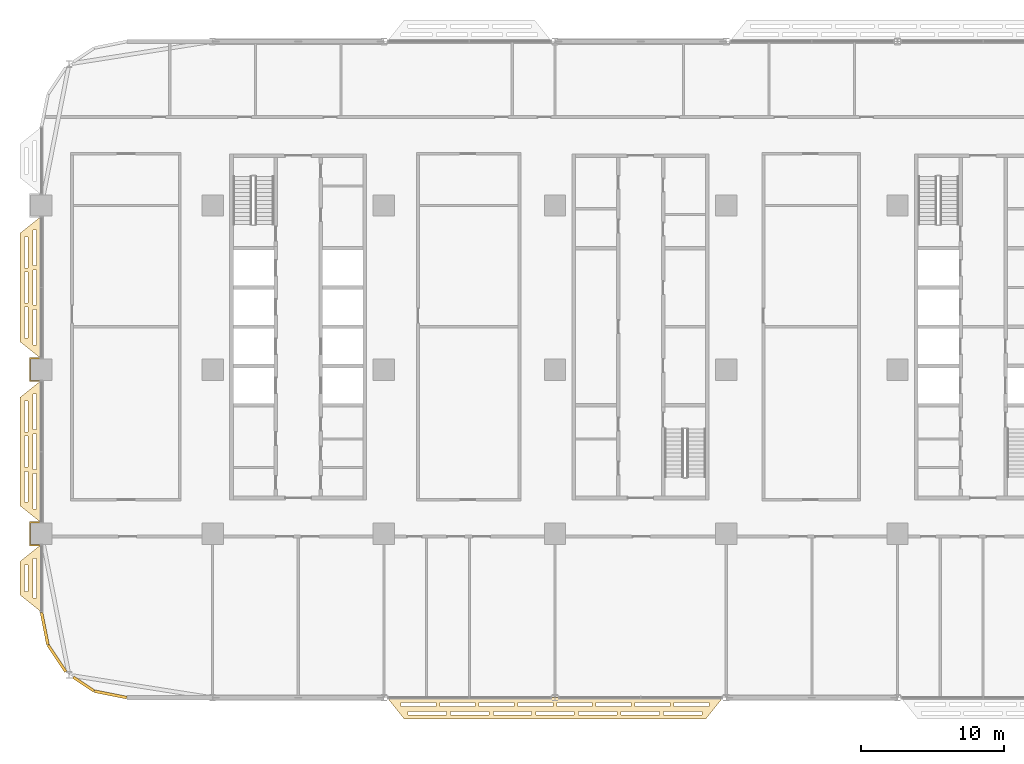
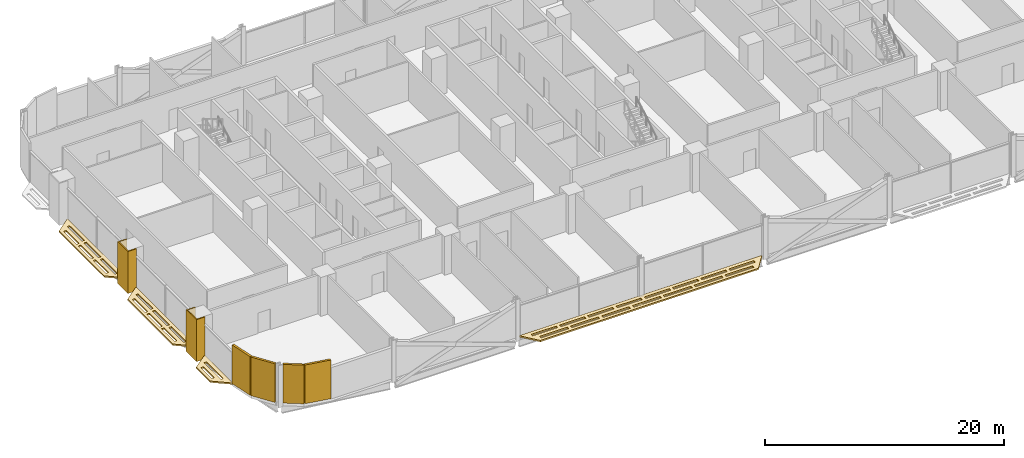
# One storey, part 24 of 29: 10 coverings.
"""IFC4 building model written with IfcOpenShell, lengths in metres."""

from ifc_helpers import new_model, si_unit, direction, frame, origin, origin_2d, place, context, subcontext, project, spatial, polyline, rectangle, outline, extrude, material, layer, layer_set, type_object, element, save


model = new_model("IFC4")

# Units and contexts
model_context = context("Model", 3, precision=1e-05, world=origin(), true_north=direction((0.0, 1.0)))
body_context = subcontext(model_context, "Body", "Model", "MODEL_VIEW")
ifc_project = project(units=[si_unit("LENGTHUNIT", "METRE"), si_unit("AREAUNIT", "SQUARE_METRE"), si_unit("VOLUMEUNIT", "CUBIC_METRE"), si_unit("PLANEANGLEUNIT", "RADIAN"), si_unit("MASSUNIT", "GRAM", prefix="KILO")], contexts=[model_context])

# Site, building, storey
site_placement = place(None, origin())
site = spatial("IfcSite", under=ifc_project, at=site_placement, CompositionType="ELEMENT")
building_placement = place(site_placement, origin())
building = spatial("IfcBuilding", under=site, at=building_placement, Name="Mahtab Terrace Research Tower", CompositionType="ELEMENT")
storey_placement = place(building_placement, frame((0.0, 0.0, 58.89990234375)))
storey = spatial("IfcBuildingStorey", under=building, at=storey_placement, Name="L13", CompositionType="ELEMENT", Elevation=58.89990234375)

# Coverings
ifc_material_1 = material(Name="Black aluminium cladding panel", Category="aluminium")
ifc_layer_1 = layer(ifc_material_1, 0.199951171875)
ifc_layer_set_1 = layer_set([ifc_layer_1], Name="Black metal corner cladding 200")
covering_type_1 = type_object("IfcCoveringType", Name="Black metal corner cladding 200", PredefinedType="CLADDING", material=ifc_layer_set_1)
covering_1_placement = place(storey_placement, frame((-41.771484375, -18.14794921875, 0.0), z_axis=(0.0, 0.0, 1.0), x_axis=(0.195212442692, -0.980760981187, 0.0)))
element("IfcCovering", 1, at=covering_1_placement, inside=storey, type_object=covering_type_1, Name="Corner cladding L13 19", PredefinedType="CLADDING", context=body_context, shape_type="SweptSolid", body=[
    extrude(rectangle(XDim=2.30126953125, YDim=0.199951171875, at=origin_2d()), origin(), (0.0, 0.0, 1.0), 3.9599609375),
])
covering_2_placement = place(storey_placement, frame((-40.911376953125, -20.2421875, 0.0), z_axis=(0.0, 0.0, 1.0), x_axis=(0.555291490808, -0.831655794326, 0.0)))
element("IfcCovering", 2, at=covering_2_placement, inside=storey, type_object=covering_type_1, Name="Corner cladding L13 20", PredefinedType="CLADDING", context=body_context, shape_type="SweptSolid", body=[
    extrude(rectangle(XDim=2.235595703125, YDim=0.199951171875, at=origin_2d()), origin(), (0.0, 0.0, 1.0), 3.9599609375),
])
covering_3_placement = place(storey_placement, frame((-39.0380859375, -22.047607421875, 0.0), z_axis=(0.0, 0.0, 1.0), x_axis=(0.831655794326, -0.555291490808, 0.0)))
element("IfcCovering", 3, at=covering_3_placement, inside=storey, type_object=covering_type_1, Name="Corner cladding L13 21", PredefinedType="CLADDING", context=body_context, shape_type="SweptSolid", body=[
    extrude(rectangle(XDim=1.74462890625, YDim=0.199951171875, at=origin_2d()), origin(), (0.0, 0.0, 1.0), 3.9599609375),
])
covering_4_placement = place(storey_placement, frame((-37.14794921875, -22.771484375, 0.0), z_axis=(0.0, 0.0, 1.0), x_axis=(0.980760981187, -0.195212442692, 0.0)))
element("IfcCovering", 4, at=covering_4_placement, inside=storey, type_object=covering_type_1, Name="Corner cladding L13 22", PredefinedType="CLADDING", context=body_context, shape_type="SweptSolid", body=[
    extrude(rectangle(XDim=2.30126953125, YDim=0.199951171875, at=origin_2d()), origin(), (0.0, 0.0, 1.0), 3.9599609375),
])
ifc_material_2 = material(Name="Dark anodised aluminium cladding", Category="aluminium")
ifc_layer_2 = layer(ifc_material_2, 0.10009765625)
ifc_layer_set_2 = layer_set([ifc_layer_2], Name="Column casing 100")
covering_type_2 = type_object("IfcCoveringType", Name="Column casing 100", PredefinedType="CLADDING", material=ifc_layer_set_2)
covering_5_placement = place(storey_placement, frame((0.0, 0.0, -0.33984375)))
element("IfcCovering", 5, at=covering_5_placement, inside=storey, type_object=covering_type_2, Name="Column casing RC-1A L13", PredefinedType="CLADDING", context=body_context, shape_type="SweptSolid", body=[
    extrude(outline(polyline([(-42.85009765625, -10.64990234375), (-42.0, -10.64990234375), (-42.0, -10.75), (-42.75, -10.75), (-42.75, -12.25), (-42.0, -12.25), (-42.0, -12.35009765625), (-42.85009765625, -12.35009765625), (-42.85009765625, -10.64990234375)])), origin(), (0.0, 0.0, 1.0), 4.300048828125),
])
covering_6_placement = place(storey_placement, frame((0.0, 0.0, -0.33984375)))
element("IfcCovering", 6, at=covering_6_placement, inside=storey, type_object=covering_type_2, Name="Column casing RC-1B L13", PredefinedType="CLADDING", context=body_context, shape_type="SweptSolid", body=[
    extrude(outline(polyline([(-42.85009765625, 0.85009765625), (-42.0, 0.85009765625), (-42.0, 0.75), (-42.75, 0.75), (-42.75, -0.75), (-42.0, -0.75), (-42.0, -0.85009765625), (-42.85009765625, -0.85009765625), (-42.85009765625, 0.85009765625)])), origin(), (0.0, 0.0, 1.0), 4.300048828125),
])
ifc_material_3 = material(Name="Black anodised aluminium", Category="aluminium")
ifc_layer_3 = layer(ifc_material_3, 0.14990234375)
ifc_layer_set_3 = layer_set([ifc_layer_3], Name="Horizontal sunshade band")
covering_type_3 = type_object("IfcCoveringType", Name="Horizontal sunshade band", PredefinedType="CLADDING", material=ifc_layer_set_3)
covering_7_placement = place(storey_placement, frame((0.0, 0.0, -0.14990234375)))
element("IfcCovering", 7, at=covering_7_placement, inside=storey, type_object=covering_type_3, Name="Sunshade band L13 16", PredefinedType="CLADDING", context=body_context, shape_type="SweptSolid", body=[
    extrude(outline(polyline([(-42.0, 10.75), (-42.0, 0.75), (-43.5, 1.949951171875), (-43.5, 9.550048828125), (-42.0, 10.75)]), holes=[polyline([(-42.35009765625, 9.77001953125), (-42.35009765625, 7.2900390625), (-42.60009765625, 7.2900390625), (-42.60009765625, 9.77001953125), (-42.35009765625, 9.77001953125)]), polyline([(-42.35009765625, 6.989990234375), (-42.35009765625, 4.510009765625), (-42.60009765625, 4.510009765625), (-42.60009765625, 6.989990234375), (-42.35009765625, 6.989990234375)]), polyline([(-42.35009765625, 4.2099609375), (-42.35009765625, 1.72998046875), (-42.60009765625, 1.72998046875), (-42.60009765625, 4.2099609375), (-42.35009765625, 4.2099609375)]), polyline([(-42.949951171875, 9.2900390625), (-42.949951171875, 7.1298828125), (-43.199951171875, 7.1298828125), (-43.199951171875, 9.2900390625), (-42.949951171875, 9.2900390625)]), polyline([(-42.949951171875, 6.830078125), (-42.949951171875, 4.669921875), (-43.199951171875, 4.669921875), (-43.199951171875, 6.830078125), (-42.949951171875, 6.830078125)]), polyline([(-42.949951171875, 4.3701171875), (-42.949951171875, 2.2099609375), (-43.199951171875, 2.2099609375), (-43.199951171875, 4.3701171875), (-42.949951171875, 4.3701171875)])]), origin(), (0.0, 0.0, 1.0), 0.14990234375),
])
covering_8_placement = place(storey_placement, frame((0.0, 0.0, -0.14990234375)))
element("IfcCovering", 8, at=covering_8_placement, inside=storey, type_object=covering_type_3, Name="Sunshade band L13 17", PredefinedType="CLADDING", context=body_context, shape_type="SweptSolid", body=[
    extrude(outline(polyline([(-42.0, -0.75), (-42.0, -10.75), (-43.5, -9.550048828125), (-43.5, -1.949951171875), (-42.0, -0.75)]), holes=[polyline([(-42.35009765625, -1.72998046875), (-42.35009765625, -4.2099609375), (-42.60009765625, -4.2099609375), (-42.60009765625, -1.72998046875), (-42.35009765625, -1.72998046875)]), polyline([(-42.35009765625, -4.510009765625), (-42.35009765625, -6.989990234375), (-42.60009765625, -6.989990234375), (-42.60009765625, -4.510009765625), (-42.35009765625, -4.510009765625)]), polyline([(-42.35009765625, -7.2900390625), (-42.35009765625, -9.77001953125), (-42.60009765625, -9.77001953125), (-42.60009765625, -7.2900390625), (-42.35009765625, -7.2900390625)]), polyline([(-42.949951171875, -2.2099609375), (-42.949951171875, -4.3701171875), (-43.199951171875, -4.3701171875), (-43.199951171875, -2.2099609375), (-42.949951171875, -2.2099609375)]), polyline([(-42.949951171875, -4.669921875), (-42.949951171875, -6.830078125), (-43.199951171875, -6.830078125), (-43.199951171875, -4.669921875), (-42.949951171875, -4.669921875)]), polyline([(-42.949951171875, -7.1298828125), (-42.949951171875, -9.2900390625), (-43.199951171875, -9.2900390625), (-43.199951171875, -7.1298828125), (-42.949951171875, -7.1298828125)])]), origin(), (0.0, 0.0, 1.0), 0.14990234375),
])
covering_9_placement = place(storey_placement, frame((0.0, 0.0, -0.14990234375)))
element("IfcCovering", 9, at=covering_9_placement, inside=storey, type_object=covering_type_3, Name="Sunshade band L13 18", PredefinedType="CLADDING", context=body_context, shape_type="SweptSolid", body=[
    extrude(outline(polyline([(-42.0, -12.25), (-42.0, -17.0), (-43.5, -15.800048828125), (-43.5, -13.449951171875), (-42.0, -12.25)]), holes=[polyline([(-42.35009765625, -13.22998046875), (-42.35009765625, -16.02001953125), (-42.60009765625, -16.02001953125), (-42.60009765625, -13.22998046875), (-42.35009765625, -13.22998046875)]), polyline([(-42.949951171875, -13.7099609375), (-42.949951171875, -15.5400390625), (-43.199951171875, -15.5400390625), (-43.199951171875, -13.7099609375), (-42.949951171875, -13.7099609375)])]), origin(), (0.0, 0.0, 1.0), 0.14990234375),
])
covering_10_placement = place(storey_placement, frame((0.0, 0.0, -0.14990234375)))
element("IfcCovering", 10, at=covering_10_placement, inside=storey, type_object=covering_type_3, Name="Sunshade band L13 25", PredefinedType="CLADDING", context=body_context, shape_type="SweptSolid", body=[
    extrude(outline(polyline([(-17.761962890625, -23.0), (5.761962890625, -23.0), (4.56201171875, -24.5), (-16.56201171875, -24.5), (-17.761962890625, -23.0)]), holes=[polyline([(-16.781982421875, -23.35009765625), (-14.34912109375, -23.35009765625), (-14.34912109375, -23.60009765625), (-16.781982421875, -23.60009765625), (-16.781982421875, -23.35009765625)]), polyline([(-14.049072265625, -23.35009765625), (-11.615966796875, -23.35009765625), (-11.615966796875, -23.60009765625), (-14.049072265625, -23.60009765625), (-14.049072265625, -23.35009765625)]), polyline([(-11.31591796875, -23.35009765625), (-8.883056640625, -23.35009765625), (-8.883056640625, -23.60009765625), (-11.31591796875, -23.60009765625), (-11.31591796875, -23.35009765625)]), polyline([(-8.5830078125, -23.35009765625), (-6.14990234375, -23.35009765625), (-6.14990234375, -23.60009765625), (-8.5830078125, -23.60009765625), (-8.5830078125, -23.35009765625)]), polyline([(-5.85009765625, -23.35009765625), (-3.4169921875, -23.35009765625), (-3.4169921875, -23.60009765625), (-5.85009765625, -23.60009765625), (-5.85009765625, -23.35009765625)]), polyline([(-3.116943359375, -23.35009765625), (-0.68408203125, -23.35009765625), (-0.68408203125, -23.60009765625), (-3.116943359375, -23.60009765625), (-3.116943359375, -23.35009765625)]), polyline([(-0.384033203125, -23.35009765625), (2.049072265625, -23.35009765625), (2.049072265625, -23.60009765625), (-0.384033203125, -23.60009765625), (-0.384033203125, -23.35009765625)]), polyline([(2.34912109375, -23.35009765625), (4.781982421875, -23.35009765625), (4.781982421875, -23.60009765625), (2.34912109375, -23.60009765625), (2.34912109375, -23.35009765625)]), polyline([(-16.302001953125, -23.949951171875), (-13.615966796875, -23.949951171875), (-13.615966796875, -24.199951171875), (-16.302001953125, -24.199951171875), (-16.302001953125, -23.949951171875)]), polyline([(-13.31591796875, -23.949951171875), (-10.62890625, -23.949951171875), (-10.62890625, -24.199951171875), (-13.31591796875, -24.199951171875), (-13.31591796875, -23.949951171875)]), polyline([(-10.3291015625, -23.949951171875), (-7.64306640625, -23.949951171875), (-7.64306640625, -24.199951171875), (-10.3291015625, -24.199951171875), (-10.3291015625, -23.949951171875)]), polyline([(-7.343017578125, -23.949951171875), (-4.656982421875, -23.949951171875), (-4.656982421875, -24.199951171875), (-7.343017578125, -24.199951171875), (-7.343017578125, -23.949951171875)]), polyline([(-4.35693359375, -23.949951171875), (-1.6708984375, -23.949951171875), (-1.6708984375, -24.199951171875), (-4.35693359375, -24.199951171875), (-4.35693359375, -23.949951171875)]), polyline([(-1.37109375, -23.949951171875), (1.31591796875, -23.949951171875), (1.31591796875, -24.199951171875), (-1.37109375, -24.199951171875), (-1.37109375, -23.949951171875)]), polyline([(1.615966796875, -23.949951171875), (4.302001953125, -23.949951171875), (4.302001953125, -24.199951171875), (1.615966796875, -24.199951171875), (1.615966796875, -23.949951171875)])]), origin(), (0.0, 0.0, 1.0), 0.14990234375),
])

save(model, "model.ifc")
